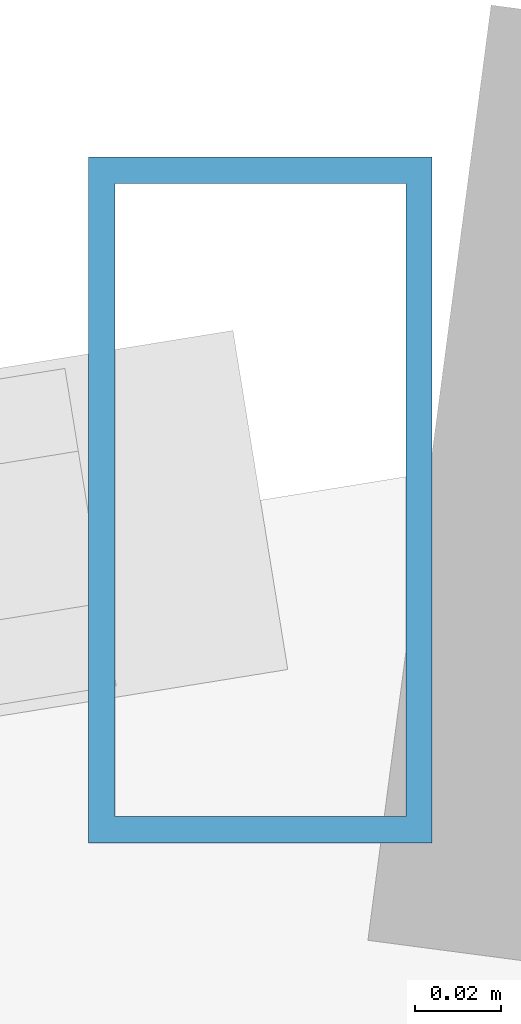
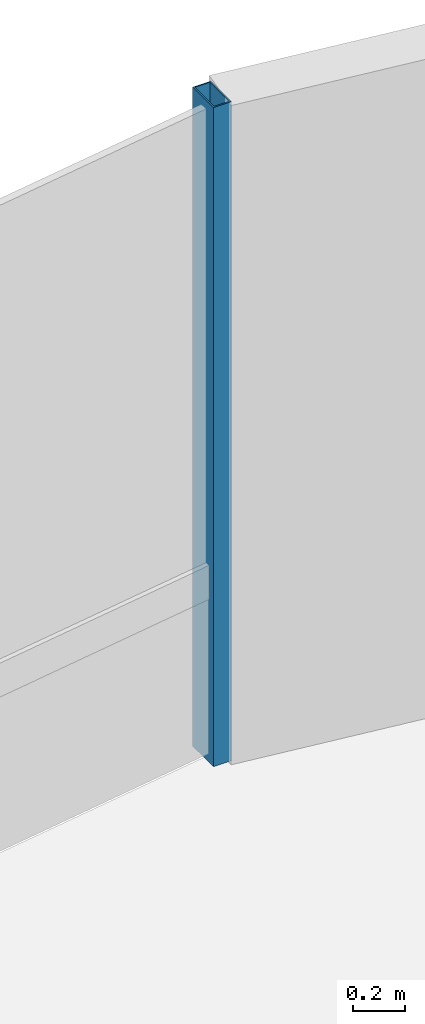
# One storey, part 16 of 22: 1 member, 1 element without a shape of its own.
"""IFC4 building model written with IfcOpenShell, lengths in metres."""

import ifcopenshell
import ifcopenshell.guid

model = None  # the IFC model being written
_history = None  # IfcOwnerHistory: only IFC2X3 demands one
_inside = {}  # id of a spatial element -> (the spatial element, [elements in it])
_under = {}  # id of a project, library or spatial element -> (it, [spatial elements below it])
_declared = {}  # id of a project -> (the project, [libraries it declares])
_typed = {}  # id of a type object -> (the type object, [elements of that type])
_made_of = {}  # id of a material, layer set ... -> (it, [elements and type objects made of it])


def new_model(schema):
    """Start an empty IFC model of exactly this schema.

    Asked for "IFC4X3", IfcOpenShell would pick the latest addendum, in which some entities
    have other attributes; the version numbers below select the first issue.
    IFC2X3 requires an IfcOwnerHistory on every rooted entity: one is made here for all.
    """
    global model, _history
    if schema == "IFC4X3":
        model = ifcopenshell.file(schema_version=(4, 3, 0, 0))
    else:
        model = ifcopenshell.file(schema=schema)
    _inside.clear()
    _under.clear()
    _declared.clear()
    _typed.clear()
    _made_of.clear()
    _history = None
    if model.schema == "IFC2X3":
        org = make("IfcOrganization", Name="unknown")
        user = make(
            "IfcPersonAndOrganization",
            ThePerson=make("IfcPerson", FamilyName="unknown"),
            TheOrganization=org,
        )
        app = make(
            "IfcApplication",
            ApplicationDeveloper=org,
            Version="unknown",
            ApplicationFullName="unknown",
            ApplicationIdentifier="unknown",
        )
        _history = make(
            "IfcOwnerHistory",
            OwningUser=user,
            OwningApplication=app,
            ChangeAction="ADDED",
            CreationDate=0,
        )
    return model


def make(cls, **values):
    """One entity of the class cls with the attributes given. An attribute that is None is left unset."""
    return model.create_entity(
        cls, **{name: value for name, value in values.items() if value is not None}
    )


def rooted(cls, **values):
    """An entity with a GlobalId (a new one), such as an element, a storey or a relation."""
    return make(cls, GlobalId=ifcopenshell.guid.new(), OwnerHistory=_history, **values)


def si_unit(unit_type, name, prefix=None):
    """IfcSIUnit, for example si_unit("LENGTHUNIT", "METRE", prefix="MILLI")."""
    return make("IfcSIUnit", UnitType=unit_type, Prefix=prefix, Name=name)


def assignment(units):
    """IfcUnitAssignment: the units of a project."""
    return None if units is None else make("IfcUnitAssignment", Units=units)


def point(xyz):
    """IfcCartesianPoint."""
    return None if xyz is None else make("IfcCartesianPoint", Coordinates=xyz)


def direction(xyz):
    """IfcDirection."""
    return None if xyz is None else make("IfcDirection", DirectionRatios=xyz)


def frame(location, z_axis=None, x_axis=None):
    """IfcAxis2Placement3D, a coordinate frame: its origin and axes. An axis left out is left unset."""
    return make(
        "IfcAxis2Placement3D",
        Location=point(location),
        Axis=direction(z_axis),
        RefDirection=direction(x_axis),
    )


def frame_2d(location, x_axis=None):
    """IfcAxis2Placement2D, a coordinate frame in the plane: its origin and x axis."""
    return make(
        "IfcAxis2Placement2D", Location=point(location), RefDirection=direction(x_axis)
    )


def origin():
    """The frame at (0, 0, 0) with its axes left unset."""
    return frame((0.0, 0.0, 0.0))


def origin_2d():
    """The frame at (0, 0) in the plane with its x axis left unset."""
    return frame_2d((0.0, 0.0))


def place(relative_to, where):
    """IfcLocalPlacement: puts the frame where relative to a parent placement (None: the world)."""
    return make(
        "IfcLocalPlacement", PlacementRelTo=relative_to, RelativePlacement=where
    )


def context(
    kind, dimensions, precision=None, world=None, true_north=None, identifier=None
):
    """IfcGeometricRepresentationContext, for example the 3D "Model" context."""
    return make(
        "IfcGeometricRepresentationContext",
        ContextIdentifier=identifier,
        ContextType=kind,
        CoordinateSpaceDimension=dimensions,
        Precision=precision,
        WorldCoordinateSystem=world,
        TrueNorth=true_north,
    )


def subcontext(parent, identifier, kind, view, scale=None):
    """IfcGeometricRepresentationSubContext, for example "Body" below "Model"."""
    return make(
        "IfcGeometricRepresentationSubContext",
        ContextIdentifier=identifier,
        ContextType=kind,
        ParentContext=parent,
        TargetScale=scale,
        TargetView=view,
    )


def project(units=None, contexts=None):
    """IfcProject with its units and contexts."""
    return rooted(
        "IfcProject",
        Name="project",
        RepresentationContexts=contexts,
        UnitsInContext=assignment(units),
    )


def spatial(cls, under=None, at=None, **own):
    """A site, building, storey or space (cls), placed at a placement, below another one or the project."""
    s = rooted(cls, ObjectPlacement=at, **own)
    if under is not None:
        _under.setdefault(under.id(), (under, []))[1].append(s)
    return s


def profile(cls, at=None, kind="AREA", **sizes):
    """A parametric profile (cls). Its sizes go by their IFC names, for example OverallWidth=200.0."""
    return make(cls, ProfileType=kind, Position=at, **sizes)


def hollow_rectangle(**sizes):
    """IfcRectangleHollowProfileDef."""
    return profile("IfcRectangleHollowProfileDef", **sizes)


def extrude(swept, where, along, depth):
    """IfcExtrudedAreaSolid: the profile swept, set in the frame where, extruded along a direction by depth."""
    return make(
        "IfcExtrudedAreaSolid",
        SweptArea=swept,
        Position=where,
        ExtrudedDirection=direction(along),
        Depth=depth,
    )


def shape(context_of_items, identifier, shape_type, items):
    """IfcShapeRepresentation: the items that make up one representation, for example the "Body"."""
    return make(
        "IfcShapeRepresentation",
        ContextOfItems=context_of_items,
        RepresentationIdentifier=identifier,
        RepresentationType=shape_type,
        Items=items,
    )


def source(mapping_origin, context_of_items, identifier, shape_type, items):
    """IfcRepresentationMap: a shape defined once, which mapped items show again and again."""
    return make(
        "IfcRepresentationMap",
        MappingOrigin=mapping_origin,
        MappedRepresentation=shape(context_of_items, identifier, shape_type, items),
    )


def transform(
    local_origin,
    x_axis=None,
    y_axis=None,
    z_axis=None,
    scale=None,
    scale2=None,
    scale3=None,
    uniform=True,
):
    """IfcCartesianTransformationOperator3D, or its non-uniform kind. x_axis, y_axis, z_axis: its Axis1, 2, 3."""
    if uniform:
        return make(
            "IfcCartesianTransformationOperator3D",
            Axis1=direction(x_axis),
            Axis2=direction(y_axis),
            LocalOrigin=point(local_origin),
            Scale=scale,
            Axis3=direction(z_axis),
        )
    return make(
        "IfcCartesianTransformationOperator3DnonUniform",
        Axis1=direction(x_axis),
        Axis2=direction(y_axis),
        LocalOrigin=point(local_origin),
        Scale=scale,
        Axis3=direction(z_axis),
        Scale2=scale2,
        Scale3=scale3,
    )


def mapped(mapping_source, mapping_target):
    """IfcMappedItem: shows the shape of a source again, moved by a transform."""
    return make(
        "IfcMappedItem", MappingSource=mapping_source, MappingTarget=mapping_target
    )


def material(Name=None, Category=None):
    """IfcMaterial."""
    return make("IfcMaterial", Name=Name, Category=Category)


def material_profile(
    of_material, cross_section, Name=None, Category=None, Priority=None
):
    """IfcMaterialProfile: a cross section and its material."""
    return make(
        "IfcMaterialProfile",
        Name=Name,
        Material=of_material,
        Profile=cross_section,
        Priority=Priority,
        Category=Category,
    )


def profile_set(profiles, Name=None, composite=None):
    """IfcMaterialProfileSet."""
    return make(
        "IfcMaterialProfileSet",
        Name=Name,
        MaterialProfiles=profiles,
        CompositeProfile=composite,
    )


def made_of(thing, what):
    """Note that an element or type object is made of a material, layer set ...; save() writes the relation."""
    if what is not None:
        _made_of.setdefault(what.id(), (what, []))[1].append(thing)
    return thing


def type_object(cls, material=None, **own):
    """A type object (cls), such as IfcWallType, which elements share."""
    return made_of(rooted(cls, **own), material)


def element(
    cls,
    number,
    at=None,
    inside=None,
    cuts=None,
    type_object=None,
    material=None,
    context=None,
    identifier="Body",
    shape_type=None,
    held_by="IfcProductDefinitionShape",
    body=None,
    shapes=None,
    **own,
):
    """One element of the class cls, such as IfcWall. Its Tag is "e" and its number.

    at: its placement. inside: the storey or other place that contains it. cuts: it is an
    opening in that element (IfcRelVoidsElement). A single representation is given by context,
    identifier, shape_type and body (its items); several are given by shapes. held_by: the class
    of the entity that holds the representations. save() writes the other relations.
    """
    e = rooted(cls, Tag="e%d" % number, ObjectPlacement=at, **own)
    if body is not None:
        shapes = [shape(context, identifier, shape_type, body)]
    if shapes is not None:
        e.Representation = make(held_by, Representations=shapes)
    if inside is not None:
        _inside.setdefault(inside.id(), (inside, []))[1].append(e)
    if cuts is not None:
        rooted(
            "IfcRelVoidsElement", RelatingBuildingElement=cuts, RelatedOpeningElement=e
        )
    if type_object is not None:
        _typed.setdefault(type_object.id(), (type_object, []))[1].append(e)
    return made_of(e, material)


def aggregate(whole, parts):
    """IfcRelAggregates: a whole, such as a stair, and the parts it consists of."""
    return rooted("IfcRelAggregates", RelatingObject=whole, RelatedObjects=parts)


def save(model, path):
    """Write the relations noted so far, then the file.

    IfcRelAggregates (storeys below a building ...), IfcRelContainedInSpatialStructure (elements
    in a storey), IfcRelDefinesByType, IfcRelAssociatesMaterial and IfcRelDeclares: one each for
    every whole, place, type object, material and project.
    """
    for whole, parts in _under.values():
        aggregate(whole, parts)
    for where, things in _inside.values():
        rooted(
            "IfcRelContainedInSpatialStructure",
            RelatedElements=things,
            RelatingStructure=where,
        )
    for kind, things in _typed.values():
        rooted("IfcRelDefinesByType", RelatedObjects=things, RelatingType=kind)
    for what, things in _made_of.values():
        rooted("IfcRelAssociatesMaterial", RelatedObjects=things, RelatingMaterial=what)
    for by, libraries in _declared.values():
        rooted("IfcRelDeclares", RelatingContext=by, RelatedDefinitions=libraries)
    model.write(path)


model = new_model("IFC4")

# Units and contexts
model_context = context("Model", 3, precision=1e-05, world=origin(), true_north=direction((0.0, 1.0)))
body_context = subcontext(model_context, "Body", "Model", "MODEL_VIEW")
ifc_project = project(units=[si_unit("LENGTHUNIT", "METRE"), si_unit("AREAUNIT", "SQUARE_METRE"), si_unit("VOLUMEUNIT", "CUBIC_METRE"), si_unit("PLANEANGLEUNIT", "RADIAN"), si_unit("MASSUNIT", "GRAM", prefix="KILO")], contexts=[model_context])

# Site, building, storey
site_placement = place(None, origin())
site = spatial("IfcSite", under=ifc_project, at=site_placement, CompositionType="ELEMENT")
building_placement = place(site_placement, origin())
building = spatial("IfcBuilding", under=site, at=building_placement, Name="Sahyath Konkavel Grand Hotel", CompositionType="ELEMENT")
storey_placement = place(building_placement, frame((0.0, 0.0, 272.449951171875)))
storey = spatial("IfcBuildingStorey", under=building, at=storey_placement, Name="L76", CompositionType="ELEMENT", Elevation=272.449951171875)

# Curtain wall, member
ifc_material_1 = material(Name="Anodised Bronze Aluminium & Low-E Glazing", Category="aluminium")
curtain_wall_type = type_object("IfcCurtainWallType", Name="CW-ZONE4", PredefinedType="NOTDEFINED", material=ifc_material_1)
curtain_wall_placement = place(storey_placement, origin())
curtain_wall = element("IfcCurtainWall", 1, at=curtain_wall_placement, inside=storey, type_object=curtain_wall_type, Name="L76 Unitised Curtain Wall F12", PredefinedType="NOTDEFINED")
ifc_material_2 = material(Name="Anodised Bronze Aluminium", Category="aluminium")
ifc_material_profile = material_profile(ifc_material_2, hollow_rectangle(XDim=0.080078125, YDim=0.159912109375, WallThickness=0.006103515625, at=origin_2d()), Name="RHS 160x80x6")
ifc_profile_set = profile_set([ifc_material_profile], Name="Anodised Bronze Aluminium")
member_type = type_object("IfcMemberType", Name="CW-MUL-160", PredefinedType="MULLION", material=ifc_profile_set)
shared_shape = source(origin(), body_context, "Body", "SweptSolid", [
    extrude(hollow_rectangle(XDim=0.080078125, YDim=0.159912109375, WallThickness=0.006103515625, at=origin_2d()), origin(), (0.0, 0.0, 1.0), 3.110107421875),
])
member_placement = place(storey_placement, frame((1.0888671875, 20.1533203125, 0.0), z_axis=(0.0, 0.0, 1.0), x_axis=(1.0, 0.0, 0.0)))
member = element("IfcMember", 2, at=member_placement, type_object=member_type, Name="L76 Curtain Wall Mullion F12-0", PredefinedType="MULLION", context=body_context, shape_type="MappedRepresentation", body=[
    mapped(shared_shape, transform((0.0, 0.0, 0.0), scale=1.0)),
])
aggregate(curtain_wall, [member])

save(model, "model.ifc")
